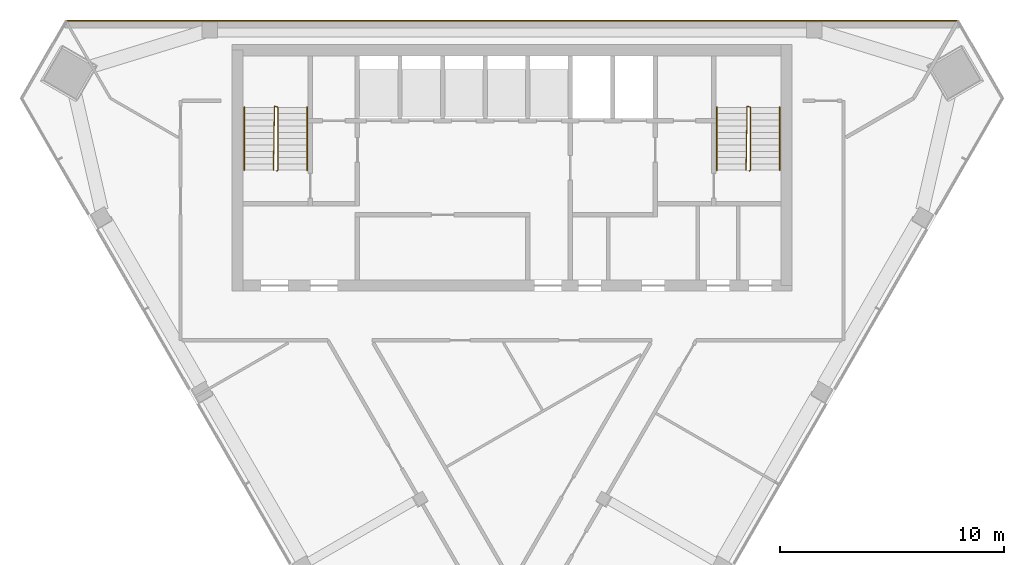
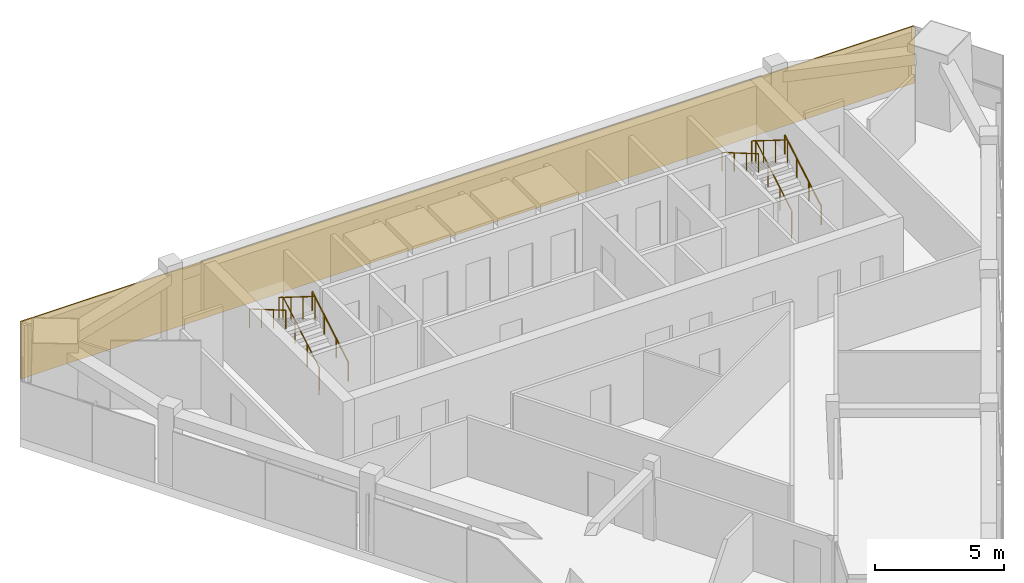
# One storey, part 8 of 9: 6 railings, 1 covering.
"""IFC4 building model written with IfcOpenShell, lengths in metres."""

from ifc_helpers import new_model, si_unit, direction, frame, frame_2d, origin, origin_2d, place, context, subcontext, project, spatial, rectangle, circle, extrude, material, layer, layer_set, type_object, element, save


model = new_model("IFC4")

# Units and contexts
model_context = context("Model", 3, precision=1e-05, world=origin(), true_north=direction((0.0, 1.0)))
body_context = subcontext(model_context, "Body", "Model", "MODEL_VIEW")
ifc_project = project(units=[si_unit("LENGTHUNIT", "METRE"), si_unit("AREAUNIT", "SQUARE_METRE"), si_unit("VOLUMEUNIT", "CUBIC_METRE"), si_unit("PLANEANGLEUNIT", "RADIAN"), si_unit("MASSUNIT", "GRAM", prefix="KILO")], contexts=[model_context])

# Site, building, storey
site_placement = place(None, origin())
site = spatial("IfcSite", under=ifc_project, at=site_placement, CompositionType="ELEMENT")
building_placement = place(site_placement, origin())
building = spatial("IfcBuilding", under=site, at=building_placement, Name="Altiplano Prism Tower", CompositionType="ELEMENT")
storey_placement = place(building_placement, frame((0.0, 0.0, 305.800048828125)))
storey = spatial("IfcBuildingStorey", under=building, at=storey_placement, Name="L79", CompositionType="ELEMENT", Elevation=305.800048828125)

# Railings
ifc_material_1 = material(Name="Steel S355", Category="steel")
railing_type_1 = type_object("IfcRailingType", Name="Stair guard 1100", PredefinedType="GUARDRAIL", material=ifc_material_1)
railing_1_placement = place(storey_placement, frame((74.5, 98.25, 0.0)))
element("IfcRailing", 1, at=railing_1_placement, inside=storey, type_object=railing_type_1, Name="L79 ST1 stair guard 1", PredefinedType="GUARDRAIL", context=body_context, shape_type="SweptSolid", body=[
    extrude(circle(Radius=0.02392578125, at=origin_2d()), frame((0.0, 0.0, 1.076171875), z_axis=(0.280808744504, 0.280808744504, 0.917765164963), x_axis=(-0.707106781187, 0.707106781187, 0.0)), (0.0, 0.0, 1.0), 0.17822265625),
    extrude(circle(Radius=0.02392578125, at=origin_2d()), frame((0.050048828125, 0.050048828125, 1.23974609375), z_axis=(0.0, 0.863360870873, 0.504586966384), x_axis=(-1.0, 0.0, 0.0)), (0.0, 0.0, 1.0), 3.2431640625),
    extrude(circle(Radius=0.02392578125, at=origin_2d()), frame((0.050048828125, 2.85009765625, 2.8759765625), z_axis=(-0.949145278916, 0.314838433982, 0.0), x_axis=(-0.314838433982, -0.949145278916, 0.0)), (0.0, 0.0, 1.0), 0.158203125),
    extrude(circle(Radius=0.02392578125, at=origin_2d()), frame((-0.10009765625, 2.89990234375, 2.8759765625), z_axis=(-0.014774583964, -0.845410385345, 0.533912906773), x_axis=(0.999847325713, -0.01747355902, 0.0)), (0.0, 0.0, 1.0), 3.370849609375),
    extrude(circle(Radius=0.02099609375, at=origin_2d()), origin(), (0.0, 0.0, 1.0), 1.052001953125),
    extrude(circle(Radius=0.02099609375, at=origin_2d()), frame((0.050048828125, 0.050048828125, 0.16357421875)), (0.0, 0.0, 1.0), 1.052001953125),
    extrude(circle(Radius=0.02099609375, at=origin_2d()), frame((0.050048828125, 0.9833984375, 0.708984375)), (0.0, 0.0, 1.0), 1.052001953125),
    extrude(circle(Radius=0.02099609375, at=origin_2d()), frame((0.050048828125, 1.916748046875, 1.254638671875)), (0.0, 0.0, 1.0), 1.052001953125),
    extrude(circle(Radius=0.02099609375, at=origin_2d()), frame((0.050048828125, 2.85009765625, 1.800048828125)), (0.0, 0.0, 1.0), 1.052001953125),
    extrude(circle(Radius=0.02099609375, at=origin_2d()), frame((-0.10009765625, 2.89990234375, 1.800048828125)), (0.0, 0.0, 1.0), 1.052001953125),
    extrude(circle(Radius=0.02099609375, at=origin_2d()), frame((-0.11669921875, 1.949951171875, 2.39990234375)), (0.0, 0.0, 1.0), 1.052001953125),
    extrude(circle(Radius=0.02099609375, at=origin_2d()), frame((-0.13330078125, 1.0, 3.0)), (0.0, 0.0, 1.0), 1.052001953125),
    extrude(circle(Radius=0.02099609375, at=origin_2d()), frame((-0.14990234375, 0.050048828125, 3.599853515625)), (0.0, 0.0, 1.0), 1.052001953125),
])
railing_2_placement = place(storey_placement, frame((95.60009765625, 98.25, 0.0)))
element("IfcRailing", 2, at=railing_2_placement, inside=storey, type_object=railing_type_1, Name="L79 ST2 stair guard 1", PredefinedType="GUARDRAIL", context=body_context, shape_type="SweptSolid", body=[
    extrude(circle(Radius=0.02392578125, at=origin_2d()), frame((0.0, 0.0, 1.076171875), z_axis=(0.279546231943, 0.280916556609, 0.91811752648), x_axis=(-0.708833529934, 0.705375805398, 0.0)), (0.0, 0.0, 1.0), 0.17822265625),
    extrude(circle(Radius=0.02392578125, at=origin_2d()), frame((0.0498046875, 0.050048828125, 1.23974609375), z_axis=(0.0, 0.863360870873, 0.504586966384), x_axis=(-1.0, 0.0, 0.0)), (0.0, 0.0, 1.0), 3.2431640625),
    extrude(circle(Radius=0.02392578125, at=origin_2d()), frame((0.0498046875, 2.85009765625, 2.8759765625), z_axis=(-0.948991962702, 0.315300261223, 0.0), x_axis=(-0.315300261223, -0.948991962702, 0.0)), (0.0, 0.0, 1.0), 0.157958984375),
    extrude(circle(Radius=0.02392578125, at=origin_2d()), frame((-0.10009765625, 2.89990234375, 2.8759765625), z_axis=(-0.014846992469, -0.845409478506, 0.533912334065), x_axis=(0.999845825584, -0.017559187376, 0.0)), (0.0, 0.0, 1.0), 3.37109375),
    extrude(circle(Radius=0.02099609375, at=origin_2d()), origin(), (0.0, 0.0, 1.0), 1.052001953125),
    extrude(circle(Radius=0.02099609375, at=origin_2d()), frame((0.0498046875, 0.050048828125, 0.16357421875)), (0.0, 0.0, 1.0), 1.052001953125),
    extrude(circle(Radius=0.02099609375, at=origin_2d()), frame((0.0498046875, 0.9833984375, 0.708984375)), (0.0, 0.0, 1.0), 1.052001953125),
    extrude(circle(Radius=0.02099609375, at=origin_2d()), frame((0.0498046875, 1.916748046875, 1.254638671875)), (0.0, 0.0, 1.0), 1.052001953125),
    extrude(circle(Radius=0.02099609375, at=origin_2d()), frame((0.0498046875, 2.85009765625, 1.800048828125)), (0.0, 0.0, 1.0), 1.052001953125),
    extrude(circle(Radius=0.02099609375, at=origin_2d()), frame((-0.10009765625, 2.89990234375, 1.800048828125)), (0.0, 0.0, 1.0), 1.052001953125),
    extrude(circle(Radius=0.02099609375, at=origin_2d()), frame((-0.11669921875, 1.949951171875, 2.39990234375)), (0.0, 0.0, 1.0), 1.052001953125),
    extrude(circle(Radius=0.02099609375, at=origin_2d()), frame((-0.133544921875, 1.0, 3.0)), (0.0, 0.0, 1.0), 1.052001953125),
    extrude(circle(Radius=0.02099609375, at=origin_2d()), frame((-0.150146484375, 0.050048828125, 3.599853515625)), (0.0, 0.0, 1.0), 1.052001953125),
])
railing_type_2 = type_object("IfcRailingType", Name="Stair handrail 900", PredefinedType="HANDRAIL", material=ifc_material_1)
railing_3_placement = place(storey_placement, frame((75.85009765625, 98.300048828125, 0.16357421875)))
element("IfcRailing", 3, at=railing_3_placement, inside=storey, type_object=railing_type_2, Name="L79 ST1 stair handrail 1", PredefinedType="HANDRAIL", context=body_context, shape_type="SweptSolid", body=[
    extrude(circle(Radius=0.02392578125, at=origin_2d()), frame((0.0, 0.0, 0.8759765625), z_axis=(0.0, 0.863360870873, 0.504586966384), x_axis=(-1.0, 0.0, 0.0)), (0.0, 0.0, 1.0), 3.2431640625),
    extrude(circle(Radius=0.02099609375, at=origin_2d()), origin(), (0.0, 0.0, 1.0), 0.851806640625),
    extrude(circle(Radius=0.02099609375, at=origin_2d()), frame((0.0, 0.933349609375, 0.54541015625)), (0.0, 0.0, 1.0), 0.851806640625),
    extrude(circle(Radius=0.02099609375, at=origin_2d()), frame((0.0, 1.86669921875, 1.091064453125)), (0.0, 0.0, 1.0), 0.851806640625),
    extrude(circle(Radius=0.02099609375, at=origin_2d()), frame((0.0, 2.800048828125, 1.636474609375)), (0.0, 0.0, 1.0), 0.851806640625),
])
railing_4_placement = place(storey_placement, frame((73.050048828125, 101.10009765625, 1.963623046875)))
element("IfcRailing", 4, at=railing_4_placement, inside=storey, type_object=railing_type_2, Name="L79 ST1 stair handrail 2", PredefinedType="HANDRAIL", context=body_context, shape_type="SweptSolid", body=[
    extrude(circle(Radius=0.02392578125, at=origin_2d()), frame((0.0, 0.0, 0.8759765625), z_axis=(0.0, -0.863393664356, 0.504530851732), x_axis=(1.0, 0.0, 0.0)), (0.0, 0.0, 1.0), 3.2431640625),
    extrude(circle(Radius=0.02099609375, at=origin_2d()), origin(), (0.0, 0.0, 1.0), 0.851806640625),
    extrude(circle(Radius=0.02099609375, at=origin_2d()), frame((0.0, -0.933349609375, 0.54541015625)), (0.0, 0.0, 1.0), 0.851806640625),
    extrude(circle(Radius=0.02099609375, at=origin_2d()), frame((0.0, -1.86669921875, 1.0908203125)), (0.0, 0.0, 1.0), 0.851806640625),
    extrude(circle(Radius=0.02099609375, at=origin_2d()), frame((0.0, -2.800048828125, 1.63623046875)), (0.0, 0.0, 1.0), 0.851806640625),
])
railing_5_placement = place(storey_placement, frame((96.949951171875, 98.300048828125, 0.16357421875)))
element("IfcRailing", 5, at=railing_5_placement, inside=storey, type_object=railing_type_2, Name="L79 ST2 stair handrail 1", PredefinedType="HANDRAIL", context=body_context, shape_type="SweptSolid", body=[
    extrude(circle(Radius=0.02392578125, at=origin_2d()), frame((0.0, 0.0, 0.8759765625), z_axis=(0.0, 0.863360870873, 0.504586966384), x_axis=(-1.0, 0.0, 0.0)), (0.0, 0.0, 1.0), 3.2431640625),
    extrude(circle(Radius=0.02099609375, at=origin_2d()), origin(), (0.0, 0.0, 1.0), 0.851806640625),
    extrude(circle(Radius=0.02099609375, at=origin_2d()), frame((0.0, 0.933349609375, 0.54541015625)), (0.0, 0.0, 1.0), 0.851806640625),
    extrude(circle(Radius=0.02099609375, at=origin_2d()), frame((0.0, 1.86669921875, 1.091064453125)), (0.0, 0.0, 1.0), 0.851806640625),
    extrude(circle(Radius=0.02099609375, at=origin_2d()), frame((0.0, 2.800048828125, 1.636474609375)), (0.0, 0.0, 1.0), 0.851806640625),
])
railing_6_placement = place(storey_placement, frame((94.14990234375, 101.10009765625, 1.963623046875)))
element("IfcRailing", 6, at=railing_6_placement, inside=storey, type_object=railing_type_2, Name="L79 ST2 stair handrail 2", PredefinedType="HANDRAIL", context=body_context, shape_type="SweptSolid", body=[
    extrude(circle(Radius=0.02392578125, at=origin_2d()), frame((0.0, 0.0, 0.8759765625), z_axis=(0.0, -0.863393664356, 0.504530851732), x_axis=(1.0, 0.0, 0.0)), (0.0, 0.0, 1.0), 3.2431640625),
    extrude(circle(Radius=0.02099609375, at=origin_2d()), origin(), (0.0, 0.0, 1.0), 0.851806640625),
    extrude(circle(Radius=0.02099609375, at=origin_2d()), frame((0.0, -0.933349609375, 0.54541015625)), (0.0, 0.0, 1.0), 0.851806640625),
    extrude(circle(Radius=0.02099609375, at=origin_2d()), frame((0.0, -1.86669921875, 1.0908203125)), (0.0, 0.0, 1.0), 0.851806640625),
    extrude(circle(Radius=0.02099609375, at=origin_2d()), frame((0.0, -2.800048828125, 1.63623046875)), (0.0, 0.0, 1.0), 0.851806640625),
])

# Covering
ifc_material_2 = material(Name="Warm limestone cast stone", Category="masonry")
ifc_layer = layer(ifc_material_2, 0.06005859375)
ifc_layer_set = layer_set([ifc_layer], Name="Warm limestone cast stone")
covering_type = type_object("IfcCoveringType", Name="Stone cladding 60", PredefinedType="CLADDING", material=ifc_layer_set)
covering_placement = place(storey_placement, frame((65.055419921875, 104.969970703125, 0.0), z_axis=(0.0, 0.0, 1.0), x_axis=(1.0, 0.0, 0.0)))
element("IfcCovering", 7, at=covering_placement, inside=storey, type_object=covering_type, Name="Stone cladding north face L79", PredefinedType="CLADDING", context=body_context, shape_type="SweptSolid", body=[
    extrude(rectangle(XDim=39.88916015625, YDim=0.06005859375, at=frame_2d((19.944580078125, 0.0))), origin(), (0.0, 0.0, 1.0), 2.699951171875),
])

save(model, "model.ifc")
